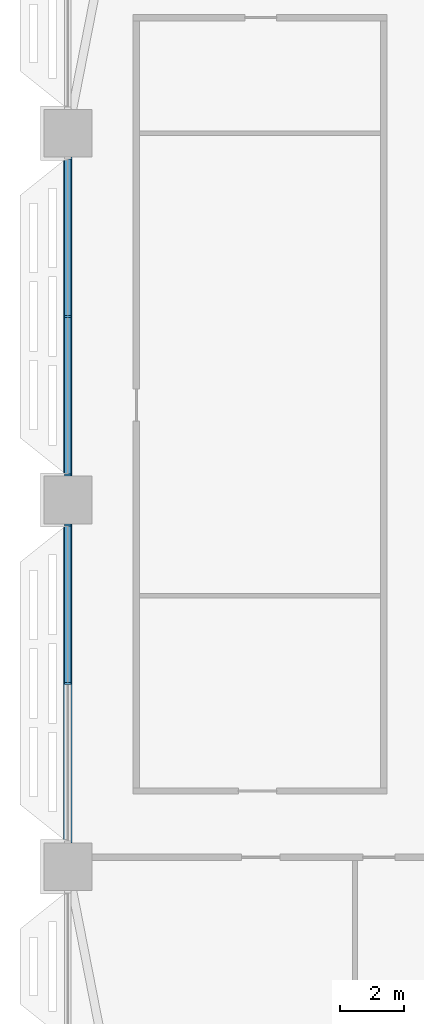
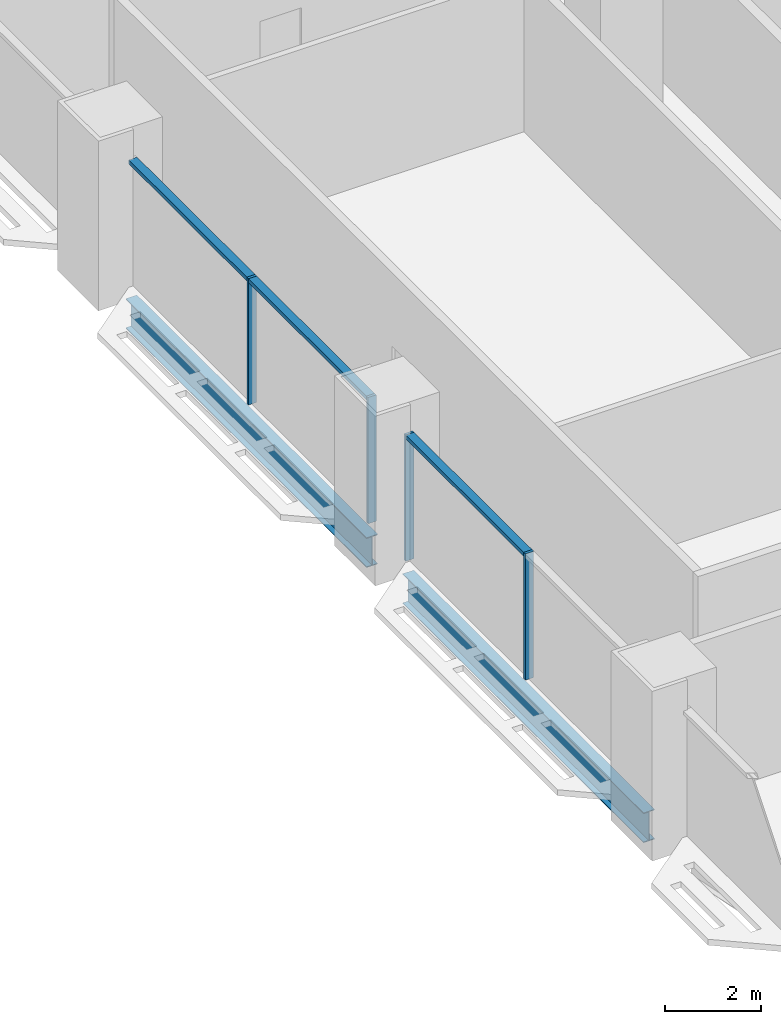
# One storey, part 4 of 29: 7 members, 2 beams, 2 elements without a shape of their own.
"""IFC4 building model written with IfcOpenShell, lengths in metres."""

from ifc_helpers import new_model, si_unit, direction, frame, origin, origin_2d, place, context, subcontext, project, spatial, rectangle, i_section, extrude, material, material_profile, profile_set, type_object, element, aggregate, save


model = new_model("IFC4")

# Units and contexts
model_context = context("Model", 3, precision=1e-05, world=origin(), true_north=direction((0.0, 1.0)))
body_context = subcontext(model_context, "Body", "Model", "MODEL_VIEW")
ifc_project = project(units=[si_unit("LENGTHUNIT", "METRE"), si_unit("AREAUNIT", "SQUARE_METRE"), si_unit("VOLUMEUNIT", "CUBIC_METRE"), si_unit("PLANEANGLEUNIT", "RADIAN"), si_unit("MASSUNIT", "GRAM", prefix="KILO")], contexts=[model_context])

# Site, building, storey
site_placement = place(None, origin())
site = spatial("IfcSite", under=ifc_project, at=site_placement, CompositionType="ELEMENT")
building_placement = place(site_placement, origin())
building = spatial("IfcBuilding", under=site, at=building_placement, Name="Mahtab Terrace Research Tower", CompositionType="ELEMENT")
storey_placement = place(building_placement, frame((0.0, 0.0, 71.800048828125)))
storey = spatial("IfcBuildingStorey", under=building, at=storey_placement, Name="L16", CompositionType="ELEMENT", Elevation=71.800048828125)

# Curtain wall, members
ifc_material_1 = material(Name="Laboratory ribbon curtain wall")
curtain_wall_type = type_object("IfcCurtainWallType", Name="Laboratory ribbon curtain wall", PredefinedType="NOTDEFINED", material=ifc_material_1)
curtain_wall_1_placement = place(storey_placement, origin())
curtain_wall_1 = element("IfcCurtainWall", 1, at=curtain_wall_1_placement, inside=storey, type_object=curtain_wall_type, Name="EN.L16.8.16", PredefinedType="NOTDEFINED")
ifc_material_2 = material(Name="Natural anodised aluminium", Category="aluminium")
ifc_material_profile_1 = material_profile(ifc_material_2, rectangle(XDim=0.199951171875, YDim=0.06494140625, at=origin_2d()), Name="MULLION 65x200")
ifc_profile_set_1 = profile_set([ifc_material_profile_1], Name="Natural anodised aluminium")
member_type_1 = type_object("IfcMemberType", Name="Laboratory ribbon curtain wall mullion", PredefinedType="MULLION", material=ifc_profile_set_1)
member_1_placement = place(storey_placement, frame((-42.0, 5.75, 0.0), z_axis=(0.0, 0.0, 1.0), x_axis=(1.0, 0.0, 0.0)))
member_1 = element("IfcMember", 2, at=member_1_placement, type_object=member_type_1, Name="CWL-2 mullion 2", PredefinedType="MULLION", context=body_context, shape_type="SweptSolid", body=[
    extrude(rectangle(XDim=0.199951171875, YDim=0.06494140625, at=origin_2d()), origin(), (0.0, 0.0, 1.0), 3.203125),
])
member_2_placement = place(storey_placement, frame((-42.0, 0.782470703125, 0.0), z_axis=(0.0, 0.0, 1.0), x_axis=(1.0, 0.0, 0.0)))
member_2 = element("IfcMember", 3, at=member_2_placement, type_object=member_type_1, Name="CWL-2 mullion 3", PredefinedType="MULLION", context=body_context, shape_type="SweptSolid", body=[
    extrude(rectangle(XDim=0.199951171875, YDim=0.06494140625, at=origin_2d()), origin(), (0.0, 0.0, 1.0), 3.203125),
])

curtain_wall_2_placement = place(storey_placement, origin())
curtain_wall_2 = element("IfcCurtainWall", 4, at=curtain_wall_2_placement, inside=storey, type_object=curtain_wall_type, Name="EN.L16.8.17", PredefinedType="NOTDEFINED")
member_3_placement = place(storey_placement, frame((-42.0, -0.782470703125, 0.0), z_axis=(0.0, 0.0, 1.0), x_axis=(1.0, 0.0, 0.0)))
member_3 = element("IfcMember", 5, at=member_3_placement, type_object=member_type_1, Name="CWL-2 mullion 1", PredefinedType="MULLION", context=body_context, shape_type="SweptSolid", body=[
    extrude(rectangle(XDim=0.199951171875, YDim=0.06494140625, at=origin_2d()), origin(), (0.0, 0.0, 1.0), 3.203125),
])
member_4_placement = place(storey_placement, frame((-42.0, -5.75, 0.0), z_axis=(0.0, 0.0, 1.0), x_axis=(1.0, 0.0, 0.0)))
member_4 = element("IfcMember", 6, at=member_4_placement, type_object=member_type_1, Name="CWL-2 mullion 2", PredefinedType="MULLION", context=body_context, shape_type="SweptSolid", body=[
    extrude(rectangle(XDim=0.199951171875, YDim=0.06494140625, at=origin_2d()), origin(), (0.0, 0.0, 1.0), 3.203125),
])

# Member
ifc_material_profile_2 = material_profile(ifc_material_2, rectangle(XDim=0.199951171875, YDim=0.10009765625, at=origin_2d()), Name="TRANSOM 100x200")
ifc_profile_set_2 = profile_set([ifc_material_profile_2], Name="Natural anodised aluminium")
member_type_2 = type_object("IfcMemberType", Name="Laboratory ribbon curtain wall transom", PredefinedType="USERDEFINED", material=ifc_profile_set_2)
member_5_placement = place(storey_placement, frame((-42.0, 10.68505859375, 3.153076171875), z_axis=(0.0, -1.0, 0.0), x_axis=(1.0, 0.0, 0.0)))
member_5 = element("IfcMember", 7, at=member_5_placement, type_object=member_type_2, Name="CWL-2 transom 1", ObjectType="TRANSOM", PredefinedType="USERDEFINED", context=body_context, shape_type="SweptSolid", body=[
    extrude(rectangle(XDim=0.199951171875, YDim=0.10009765625, at=origin_2d()), origin(), (0.0, 0.0, 1.0), 4.902587890625),
])

member_6_placement = place(storey_placement, frame((-42.0, 5.717529296875, 3.153076171875), z_axis=(0.0, -1.0, 0.0), x_axis=(1.0, 0.0, 0.0)))
member_6 = element("IfcMember", 8, at=member_6_placement, type_object=member_type_2, Name="CWL-2 transom 2", ObjectType="TRANSOM", PredefinedType="USERDEFINED", context=body_context, shape_type="SweptSolid", body=[
    extrude(rectangle(XDim=0.199951171875, YDim=0.10009765625, at=origin_2d()), origin(), (0.0, 0.0, 1.0), 4.902587890625),
])

aggregate(curtain_wall_1, [member_1, member_2, member_5, member_6])

member_7_placement = place(storey_placement, frame((-42.0, -0.81494140625, 3.153076171875), z_axis=(0.0, -1.0, 0.0), x_axis=(1.0, 0.0, 0.0)))
member_7 = element("IfcMember", 9, at=member_7_placement, type_object=member_type_2, Name="CWL-2 transom 1", ObjectType="TRANSOM", PredefinedType="USERDEFINED", context=body_context, shape_type="SweptSolid", body=[
    extrude(rectangle(XDim=0.199951171875, YDim=0.10009765625, at=origin_2d()), origin(), (0.0, 0.0, 1.0), 4.902587890625),
])

aggregate(curtain_wall_2, [member_3, member_4, member_7])

# Beams
ifc_material_3 = material(Name="Steel ASTM A992 Gr 50", Category="steel")
ifc_material_profile_3 = material_profile(ifc_material_3, i_section(OverallWidth=0.2666015625, OverallDepth=0.7568359375, WebThickness=0.013916015625, FlangeThickness=0.019287109375, at=origin_2d()), Name="W30X108")
ifc_profile_set_3 = profile_set([ifc_material_profile_3], Name="Steel ASTM A992 Gr 50")
beam_type = type_object("IfcBeamType", Name="W30x108 beam BS30108", PredefinedType="BEAM", material=ifc_profile_set_3)
for number, where, z_axis, x_axis, name in (
    (10, (-42.0, 10.75, -0.718505859375), (0.0, -1.0, 0.0), (1.0, 0.0, 0.0), "Spandrel beam L16 10"),
    (11, (-42.0, -0.75, -0.718505859375), (0.0, -1.0, 0.0), (1.0, 0.0, 0.0), "Spandrel beam L16 11"),
):
    element("IfcBeam", number, at=place(storey_placement, frame(where, z_axis=z_axis, x_axis=x_axis)), inside=storey, type_object=beam_type, Name=name, PredefinedType="BEAM", context=body_context, shape_type="SweptSolid", body=[
        extrude(i_section(OverallWidth=0.2666015625, OverallDepth=0.7568359375, WebThickness=0.013916015625, FlangeThickness=0.019287109375, at=origin_2d()), origin(), (0.0, 0.0, 1.0), 10.0),
    ])

save(model, "model.ifc")
